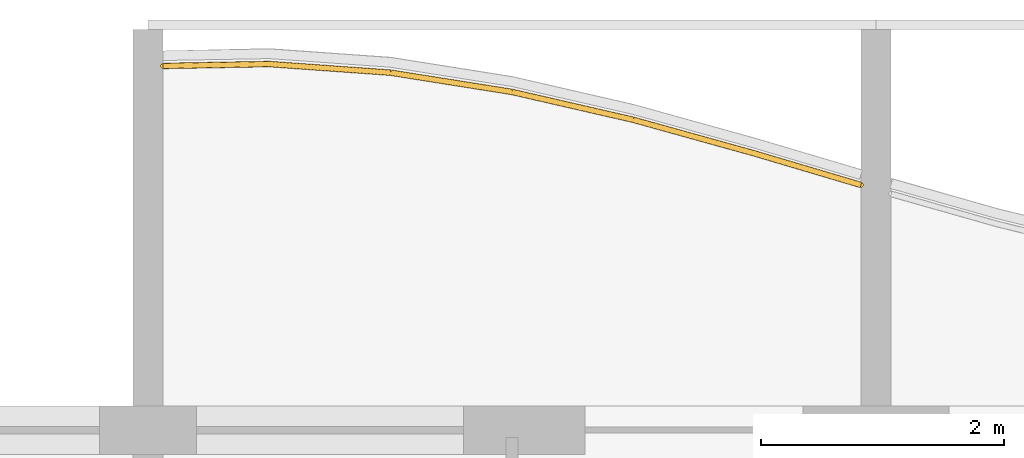
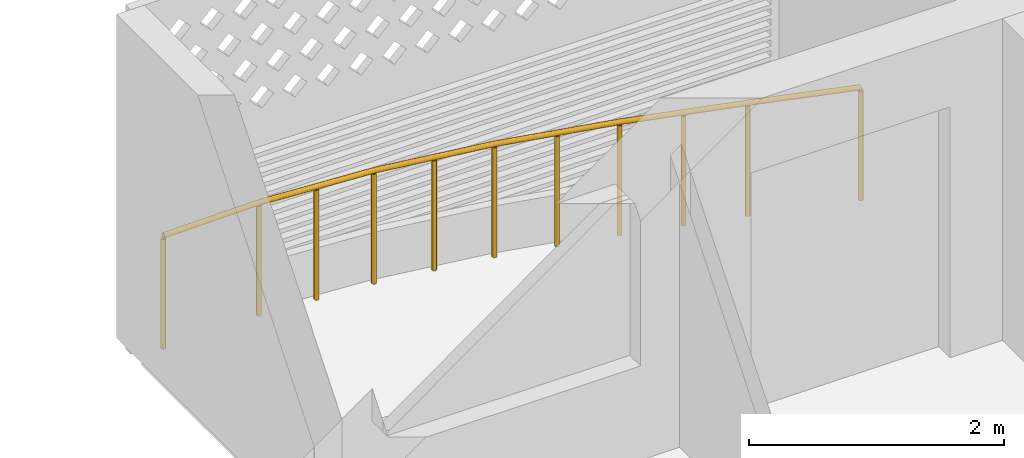
# One storey, part 20 of 27: 1 railing.
"""IFC4 building model written with IfcOpenShell, lengths in metres."""

import ifcopenshell
import ifcopenshell.guid

model = None  # the IFC model being written
_history = None  # IfcOwnerHistory: only IFC2X3 demands one
_inside = {}  # id of a spatial element -> (the spatial element, [elements in it])
_under = {}  # id of a project, library or spatial element -> (it, [spatial elements below it])
_declared = {}  # id of a project -> (the project, [libraries it declares])
_typed = {}  # id of a type object -> (the type object, [elements of that type])
_made_of = {}  # id of a material, layer set ... -> (it, [elements and type objects made of it])


def new_model(schema):
    """Start an empty IFC model of exactly this schema.

    Asked for "IFC4X3", IfcOpenShell would pick the latest addendum, in which some entities
    have other attributes; the version numbers below select the first issue.
    IFC2X3 requires an IfcOwnerHistory on every rooted entity: one is made here for all.
    """
    global model, _history
    if schema == "IFC4X3":
        model = ifcopenshell.file(schema_version=(4, 3, 0, 0))
    else:
        model = ifcopenshell.file(schema=schema)
    _inside.clear()
    _under.clear()
    _declared.clear()
    _typed.clear()
    _made_of.clear()
    _history = None
    if model.schema == "IFC2X3":
        org = make("IfcOrganization", Name="unknown")
        user = make(
            "IfcPersonAndOrganization",
            ThePerson=make("IfcPerson", FamilyName="unknown"),
            TheOrganization=org,
        )
        app = make(
            "IfcApplication",
            ApplicationDeveloper=org,
            Version="unknown",
            ApplicationFullName="unknown",
            ApplicationIdentifier="unknown",
        )
        _history = make(
            "IfcOwnerHistory",
            OwningUser=user,
            OwningApplication=app,
            ChangeAction="ADDED",
            CreationDate=0,
        )
    return model


def make(cls, **values):
    """One entity of the class cls with the attributes given. An attribute that is None is left unset."""
    return model.create_entity(
        cls, **{name: value for name, value in values.items() if value is not None}
    )


def rooted(cls, **values):
    """An entity with a GlobalId (a new one), such as an element, a storey or a relation."""
    return make(cls, GlobalId=ifcopenshell.guid.new(), OwnerHistory=_history, **values)


def si_unit(unit_type, name, prefix=None):
    """IfcSIUnit, for example si_unit("LENGTHUNIT", "METRE", prefix="MILLI")."""
    return make("IfcSIUnit", UnitType=unit_type, Prefix=prefix, Name=name)


def assignment(units):
    """IfcUnitAssignment: the units of a project."""
    return None if units is None else make("IfcUnitAssignment", Units=units)


def point(xyz):
    """IfcCartesianPoint."""
    return None if xyz is None else make("IfcCartesianPoint", Coordinates=xyz)


def direction(xyz):
    """IfcDirection."""
    return None if xyz is None else make("IfcDirection", DirectionRatios=xyz)


def frame(location, z_axis=None, x_axis=None):
    """IfcAxis2Placement3D, a coordinate frame: its origin and axes. An axis left out is left unset."""
    return make(
        "IfcAxis2Placement3D",
        Location=point(location),
        Axis=direction(z_axis),
        RefDirection=direction(x_axis),
    )


def frame_2d(location, x_axis=None):
    """IfcAxis2Placement2D, a coordinate frame in the plane: its origin and x axis."""
    return make(
        "IfcAxis2Placement2D", Location=point(location), RefDirection=direction(x_axis)
    )


def origin():
    """The frame at (0, 0, 0) with its axes left unset."""
    return frame((0.0, 0.0, 0.0))


def origin_2d():
    """The frame at (0, 0) in the plane with its x axis left unset."""
    return frame_2d((0.0, 0.0))


def place(relative_to, where):
    """IfcLocalPlacement: puts the frame where relative to a parent placement (None: the world)."""
    return make(
        "IfcLocalPlacement", PlacementRelTo=relative_to, RelativePlacement=where
    )


def context(
    kind, dimensions, precision=None, world=None, true_north=None, identifier=None
):
    """IfcGeometricRepresentationContext, for example the 3D "Model" context."""
    return make(
        "IfcGeometricRepresentationContext",
        ContextIdentifier=identifier,
        ContextType=kind,
        CoordinateSpaceDimension=dimensions,
        Precision=precision,
        WorldCoordinateSystem=world,
        TrueNorth=true_north,
    )


def subcontext(parent, identifier, kind, view, scale=None):
    """IfcGeometricRepresentationSubContext, for example "Body" below "Model"."""
    return make(
        "IfcGeometricRepresentationSubContext",
        ContextIdentifier=identifier,
        ContextType=kind,
        ParentContext=parent,
        TargetScale=scale,
        TargetView=view,
    )


def project(units=None, contexts=None):
    """IfcProject with its units and contexts."""
    return rooted(
        "IfcProject",
        Name="project",
        RepresentationContexts=contexts,
        UnitsInContext=assignment(units),
    )


def spatial(cls, under=None, at=None, **own):
    """A site, building, storey or space (cls), placed at a placement, below another one or the project."""
    s = rooted(cls, ObjectPlacement=at, **own)
    if under is not None:
        _under.setdefault(under.id(), (under, []))[1].append(s)
    return s


def profile(cls, at=None, kind="AREA", **sizes):
    """A parametric profile (cls). Its sizes go by their IFC names, for example OverallWidth=200.0."""
    return make(cls, ProfileType=kind, Position=at, **sizes)


def circle(**sizes):
    """IfcCircleProfileDef."""
    return profile("IfcCircleProfileDef", **sizes)


def extrude(swept, where, along, depth):
    """IfcExtrudedAreaSolid: the profile swept, set in the frame where, extruded along a direction by depth."""
    return make(
        "IfcExtrudedAreaSolid",
        SweptArea=swept,
        Position=where,
        ExtrudedDirection=direction(along),
        Depth=depth,
    )


def shape(context_of_items, identifier, shape_type, items):
    """IfcShapeRepresentation: the items that make up one representation, for example the "Body"."""
    return make(
        "IfcShapeRepresentation",
        ContextOfItems=context_of_items,
        RepresentationIdentifier=identifier,
        RepresentationType=shape_type,
        Items=items,
    )


def material(Name=None, Category=None):
    """IfcMaterial."""
    return make("IfcMaterial", Name=Name, Category=Category)


def made_of(thing, what):
    """Note that an element or type object is made of a material, layer set ...; save() writes the relation."""
    if what is not None:
        _made_of.setdefault(what.id(), (what, []))[1].append(thing)
    return thing


def type_object(cls, material=None, **own):
    """A type object (cls), such as IfcWallType, which elements share."""
    return made_of(rooted(cls, **own), material)


def element(
    cls,
    number,
    at=None,
    inside=None,
    cuts=None,
    type_object=None,
    material=None,
    context=None,
    identifier="Body",
    shape_type=None,
    held_by="IfcProductDefinitionShape",
    body=None,
    shapes=None,
    **own,
):
    """One element of the class cls, such as IfcWall. Its Tag is "e" and its number.

    at: its placement. inside: the storey or other place that contains it. cuts: it is an
    opening in that element (IfcRelVoidsElement). A single representation is given by context,
    identifier, shape_type and body (its items); several are given by shapes. held_by: the class
    of the entity that holds the representations. save() writes the other relations.
    """
    e = rooted(cls, Tag="e%d" % number, ObjectPlacement=at, **own)
    if body is not None:
        shapes = [shape(context, identifier, shape_type, body)]
    if shapes is not None:
        e.Representation = make(held_by, Representations=shapes)
    if inside is not None:
        _inside.setdefault(inside.id(), (inside, []))[1].append(e)
    if cuts is not None:
        rooted(
            "IfcRelVoidsElement", RelatingBuildingElement=cuts, RelatedOpeningElement=e
        )
    if type_object is not None:
        _typed.setdefault(type_object.id(), (type_object, []))[1].append(e)
    return made_of(e, material)


def aggregate(whole, parts):
    """IfcRelAggregates: a whole, such as a stair, and the parts it consists of."""
    return rooted("IfcRelAggregates", RelatingObject=whole, RelatedObjects=parts)


def save(model, path):
    """Write the relations noted so far, then the file.

    IfcRelAggregates (storeys below a building ...), IfcRelContainedInSpatialStructure (elements
    in a storey), IfcRelDefinesByType, IfcRelAssociatesMaterial and IfcRelDeclares: one each for
    every whole, place, type object, material and project.
    """
    for whole, parts in _under.values():
        aggregate(whole, parts)
    for where, things in _inside.values():
        rooted(
            "IfcRelContainedInSpatialStructure",
            RelatedElements=things,
            RelatingStructure=where,
        )
    for kind, things in _typed.values():
        rooted("IfcRelDefinesByType", RelatedObjects=things, RelatingType=kind)
    for what, things in _made_of.values():
        rooted("IfcRelAssociatesMaterial", RelatedObjects=things, RelatingMaterial=what)
    for by, libraries in _declared.values():
        rooted("IfcRelDeclares", RelatingContext=by, RelatedDefinitions=libraries)
    model.write(path)


model = new_model("IFC4")

# Units and contexts
model_context = context("Model", 3, precision=1e-05, world=origin(), true_north=direction((0.0, 1.0)))
body_context = subcontext(model_context, "Body", "Model", "MODEL_VIEW")
ifc_project = project(units=[si_unit("LENGTHUNIT", "METRE"), si_unit("AREAUNIT", "SQUARE_METRE"), si_unit("VOLUMEUNIT", "CUBIC_METRE"), si_unit("PLANEANGLEUNIT", "RADIAN"), si_unit("MASSUNIT", "GRAM", prefix="KILO")], contexts=[model_context])

# Site, building, storey
site_placement = place(None, origin())
site = spatial("IfcSite", under=ifc_project, at=site_placement, CompositionType="ELEMENT")
building_placement = place(site_placement, origin())
building = spatial("IfcBuilding", under=site, at=building_placement, Name="Poui Terraces", CompositionType="ELEMENT")
storey_placement = place(building_placement, frame((0.0, 0.0, 251.10009765625)))
storey = spatial("IfcBuildingStorey", under=building, at=storey_placement, Name="L70", CompositionType="ELEMENT", Elevation=251.10009765625)

# Railing
ifc_material = material(Name="Painted steel fretwork", Category="steel")
railing_type = type_object("IfcRailingType", Name="BALCONY GUARD 1100", PredefinedType="GUARDRAIL", material=ifc_material)
railing_placement = place(storey_placement, frame((48.125, 44.201416015625, 0.0)))
element("IfcRailing", 1, at=railing_placement, inside=storey, type_object=railing_type, Name="BALCONY GUARD", PredefinedType="GUARDRAIL", context=body_context, shape_type="SweptSolid", body=[
    extrude(circle(Radius=0.02392578125, at=origin_2d()), frame((0.0, 0.0, 1.076171875), z_axis=(0.999840599345, 0.017854296417, 0.0), x_axis=(-0.017854296417, 0.999840599345, 0.0)), (0.0, 0.0, 1.0), 0.875244140625),
    extrude(circle(Radius=0.02392578125, at=origin_2d()), frame((0.875, 0.015625, 1.076171875), z_axis=(0.997485823051, -0.07086630237, 0.0), x_axis=(0.07086630237, 0.997485823051, 0.0)), (0.0, 0.0, 1.0), 1.00244140625),
    extrude(circle(Radius=0.02392578125, at=origin_2d()), frame((1.875, -0.055419921875, 1.076171875), z_axis=(0.987641453623, -0.156730211146, 0.0), x_axis=(0.156730211146, 0.987641453623, 0.0)), (0.0, 0.0, 1.0), 1.012451171875),
    extrude(circle(Radius=0.02392578125, at=origin_2d()), frame((2.875, -0.214111328125, 1.076171875), z_axis=(0.974611291341, -0.223903619422, 0.0), x_axis=(0.223903619422, 0.974611291341, 0.0)), (0.0, 0.0, 1.0), 1.026123046875),
    extrude(circle(Radius=0.02392578125, at=origin_2d()), frame((3.875, -0.44384765625, 1.076171875), z_axis=(0.963565078544, -0.267473997633, 0.0), x_axis=(0.267473997633, 0.963565078544, 0.0)), (0.0, 0.0, 1.0), 1.037841796875),
    extrude(circle(Radius=0.02392578125, at=origin_2d()), frame((4.875, -0.721435546875, 1.076171875), z_axis=(0.9587927149, -0.284106546658, 0.0), x_axis=(0.284106546658, 0.9587927149, 0.0)), (0.0, 0.0, 1.0), 0.91259765625),
    extrude(circle(Radius=0.02099609375, at=origin_2d()), origin(), (0.0, 0.0, 1.0), 1.052001953125),
    extrude(circle(Radius=0.02099609375, at=origin_2d()), frame((0.875, 0.015625, 0.0)), (0.0, 0.0, 1.0), 1.052001953125),
    extrude(circle(Radius=0.02099609375, at=origin_2d()), frame((1.375, -0.02001953125, 0.0)), (0.0, 0.0, 1.0), 1.052001953125),
    extrude(circle(Radius=0.02099609375, at=origin_2d()), frame((1.875, -0.055419921875, 0.0)), (0.0, 0.0, 1.0), 1.052001953125),
    extrude(circle(Radius=0.02099609375, at=origin_2d()), frame((2.375, -0.134765625, 0.0)), (0.0, 0.0, 1.0), 1.052001953125),
    extrude(circle(Radius=0.02099609375, at=origin_2d()), frame((2.875, -0.214111328125, 0.0)), (0.0, 0.0, 1.0), 1.052001953125),
    extrude(circle(Radius=0.02099609375, at=origin_2d()), frame((3.375, -0.3291015625, 0.0)), (0.0, 0.0, 1.0), 1.052001953125),
    extrude(circle(Radius=0.02099609375, at=origin_2d()), frame((3.875, -0.44384765625, 0.0)), (0.0, 0.0, 1.0), 1.052001953125),
    extrude(circle(Radius=0.02099609375, at=origin_2d()), frame((4.375, -0.58251953125, 0.0)), (0.0, 0.0, 1.0), 1.052001953125),
    extrude(circle(Radius=0.02099609375, at=origin_2d()), frame((4.875, -0.721435546875, 0.0)), (0.0, 0.0, 1.0), 1.052001953125),
    extrude(circle(Radius=0.02099609375, at=origin_2d()), frame((5.75, -0.980712890625, 0.0)), (0.0, 0.0, 1.0), 1.052001953125),
])

save(model, "model.ifc")
